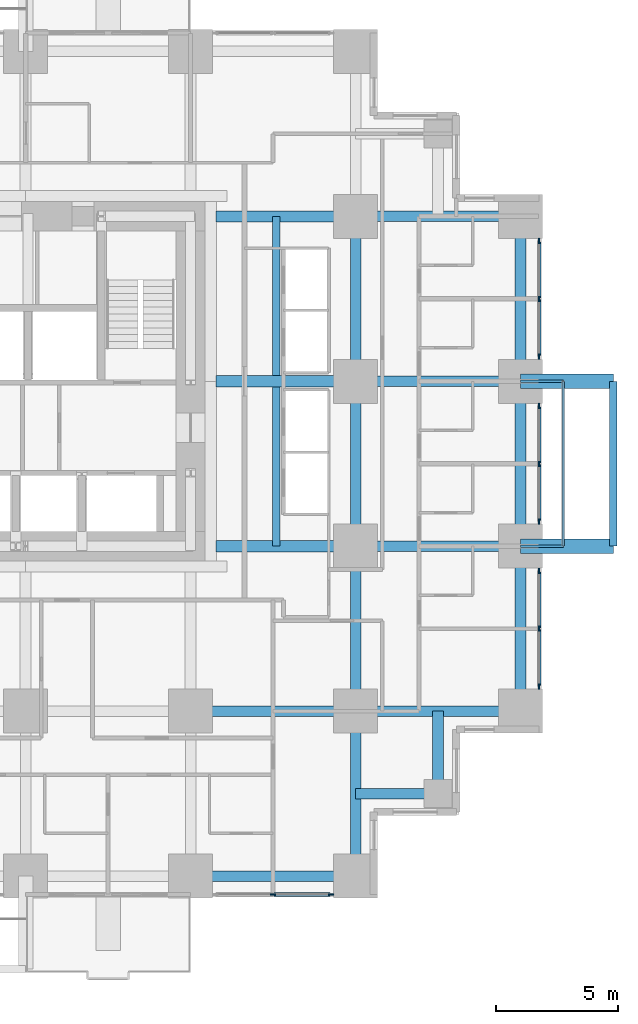
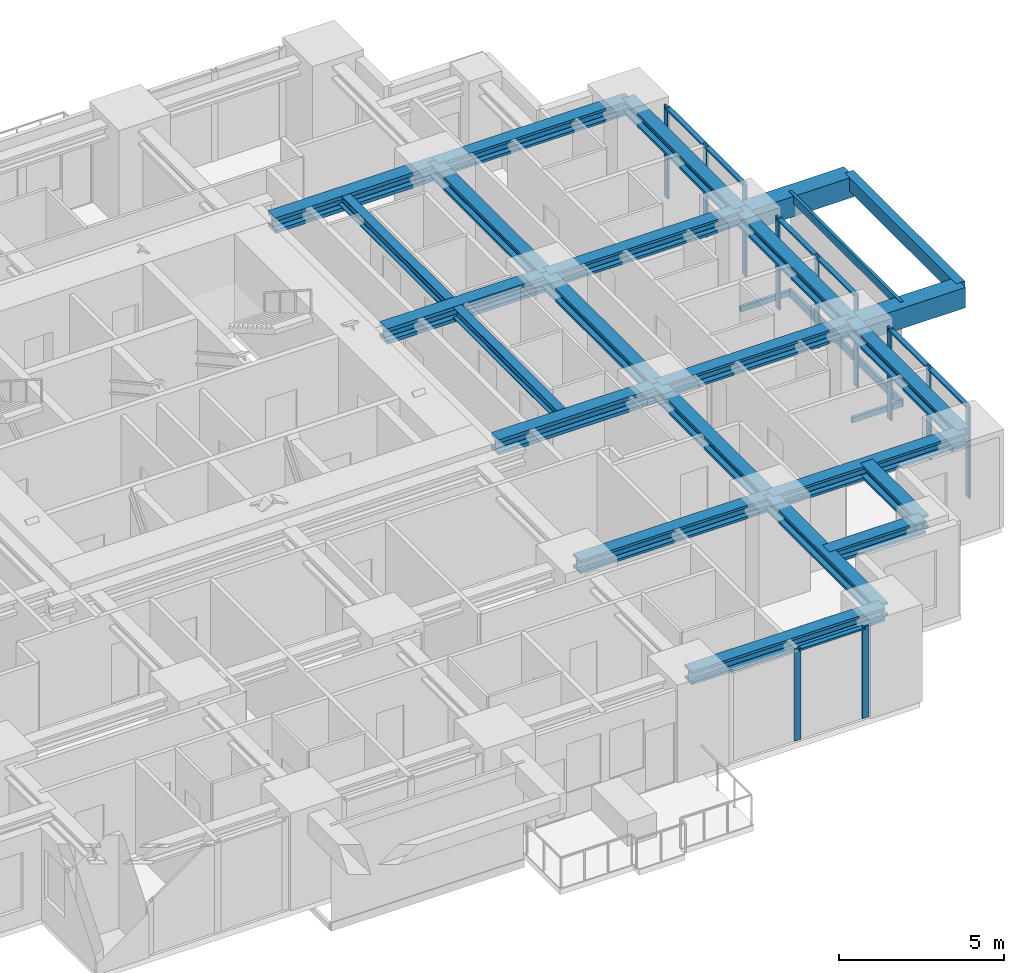
# One storey, part 4 of 12: 23 beams, 22 members, 4 elements without a shape of their own.
"""IFC4 building model written with IfcOpenShell, lengths in metres."""

from ifc_helpers import new_model, si_unit, direction, frame, origin, origin_2d, place, context, subcontext, project, spatial, rectangle, hollow_rectangle, i_section, extrude, material, material_profile, profile_set, type_object, element, aggregate, save


model = new_model("IFC4")

# Units and contexts
model_context = context("Model", 3, precision=1e-05, world=origin(), true_north=direction((0.0, 1.0)))
body_context = subcontext(model_context, "Body", "Model", "MODEL_VIEW")
ifc_project = project(units=[si_unit("LENGTHUNIT", "METRE"), si_unit("AREAUNIT", "SQUARE_METRE"), si_unit("VOLUMEUNIT", "CUBIC_METRE"), si_unit("PLANEANGLEUNIT", "RADIAN"), si_unit("MASSUNIT", "GRAM", prefix="KILO")], contexts=[model_context])

# Site, building, storey
site_placement = place(None, origin())
site = spatial("IfcSite", under=ifc_project, at=site_placement, CompositionType="ELEMENT")
building_placement = place(site_placement, origin())
building = spatial("IfcBuilding", under=site, at=building_placement, Name="Nyansa Garden Tower", CompositionType="ELEMENT")
storey_placement = place(building_placement, frame((0.0, 0.0, 98.10009765625)))
storey = spatial("IfcBuildingStorey", under=building, at=storey_placement, Name="L26", CompositionType="ELEMENT", Elevation=98.10009765625)

# Beams
ifc_material_1 = material(Name="Concrete C70/85", Category="concrete")
ifc_material_profile_1 = material_profile(ifc_material_1, rectangle(XDim=0.60009765625, YDim=0.75, at=origin_2d()), Name="RC 600x750")
ifc_profile_set_1 = profile_set([ifc_material_profile_1], Name="Concrete C70/85")
beam_type_1 = type_object("IfcBeamType", Name="Balcony cantilever beam CB1 RC 600x750", PredefinedType="BEAM", material=ifc_profile_set_1)
for number, where, z_axis, x_axis, name in (
    (1, (40.5, 13.5, 2.98486328125), (1.0, 0.0, 0.0), (0.0, 1.0, 0.0), "Balcony cantilever beam L27"),
    (2, (40.5, 20.25, 2.98486328125), (1.0, 0.0, 0.0), (0.0, 1.0, 0.0), "Balcony cantilever beam L27"),
):
    element("IfcBeam", number, at=place(storey_placement, frame(where, z_axis=z_axis, x_axis=x_axis)), inside=storey, type_object=beam_type_1, Name=name, PredefinedType="BEAM", context=body_context, shape_type="SweptSolid", body=[
        extrude(rectangle(XDim=0.60009765625, YDim=0.75, at=origin_2d()), origin(), (0.0, 0.0, 1.0), 3.800048828125),
    ])
ifc_material_2 = material(Name="Concrete C70/85", Category="concrete")
ifc_material_profile_2 = material_profile(ifc_material_2, rectangle(XDim=0.300048828125, YDim=0.5, at=origin_2d()), Name="RC 300x500")
ifc_profile_set_2 = profile_set([ifc_material_profile_2], Name="Concrete C70/85")
beam_type_2 = type_object("IfcBeamType", Name="Balcony edge beam BE1 RC 300x500", PredefinedType="BEAM", material=ifc_profile_set_2)
beam_placement = place(storey_placement, frame((44.300048828125, 13.5, 3.10986328125), z_axis=(0.0, 1.0, 0.0), x_axis=(-1.0, 0.0, 0.0)))
element("IfcBeam", 3, at=beam_placement, inside=storey, type_object=beam_type_2, Name="Balcony edge beam L27", PredefinedType="BEAM", context=body_context, shape_type="SweptSolid", body=[
    extrude(rectangle(XDim=0.300048828125, YDim=0.5, at=origin_2d()), origin(), (0.0, 0.0, 1.0), 6.75),
])

# Curtain wall, members
ifc_material_3 = material(Name="Black anodised aluminium, dark tinted double glazing", Category="aluminium")
curtain_wall_type = type_object("IfcCurtainWallType", Name="Inner skin curtain wall ISW-B", PredefinedType="USERDEFINED", material=ifc_material_3)
curtain_wall_1_placement = place(storey_placement, origin())
curtain_wall_1 = element("IfcCurtainWall", 4, at=curtain_wall_1_placement, inside=storey, type_object=curtain_wall_type, Name="Inner skin curtain wall L26 E", ObjectType="UNITISED CURTAIN WALL", PredefinedType="USERDEFINED")
ifc_material_4 = material(Name="Black anodised aluminium", Category="aluminium")
ifc_material_profile_3 = material_profile(ifc_material_4, rectangle(XDim=0.06494140625, YDim=0.22509765625, at=origin_2d()), Name="Mullion 225x65")
ifc_profile_set_3 = profile_set([ifc_material_profile_3], Name="Black anodised aluminium")
member_type_1 = type_object("IfcMemberType", Name="Mullion ISW-B 225x65", PredefinedType="MULLION", material=ifc_profile_set_3)
member_1_placement = place(storey_placement, frame((41.25, 7.762451171875, 0.0), z_axis=(0.0, 0.0, 1.0), x_axis=(-1.0, 0.0, 0.0)))
member_1 = element("IfcMember", 5, at=member_1_placement, type_object=member_type_1, Name="ISW-B mullion 1", PredefinedType="MULLION", context=body_context, shape_type="SweptSolid", body=[
    extrude(rectangle(XDim=0.06494140625, YDim=0.22509765625, at=origin_2d()), origin(), (0.0, 0.0, 1.0), 3.375),
])
member_2_placement = place(storey_placement, frame((41.25, 10.125, 0.0), z_axis=(0.0, 0.0, 1.0), x_axis=(-1.0, 0.0, 0.0)))
member_2 = element("IfcMember", 6, at=member_2_placement, type_object=member_type_1, Name="ISW-B mullion 2", PredefinedType="MULLION", context=body_context, shape_type="SweptSolid", body=[
    extrude(rectangle(XDim=0.06494140625, YDim=0.22509765625, at=origin_2d()), origin(), (0.0, 0.0, 1.0), 3.375),
])
member_3_placement = place(storey_placement, frame((41.25, 12.487548828125, 0.0), z_axis=(0.0, 0.0, 1.0), x_axis=(-1.0, 0.0, 0.0)))
member_3 = element("IfcMember", 7, at=member_3_placement, type_object=member_type_1, Name="ISW-B mullion 3", PredefinedType="MULLION", context=body_context, shape_type="SweptSolid", body=[
    extrude(rectangle(XDim=0.06494140625, YDim=0.22509765625, at=origin_2d()), origin(), (0.0, 0.0, 1.0), 3.375),
])

curtain_wall_2_placement = place(storey_placement, origin())
curtain_wall_2 = element("IfcCurtainWall", 8, at=curtain_wall_2_placement, inside=storey, type_object=curtain_wall_type, Name="Inner skin curtain wall L26 E", ObjectType="UNITISED CURTAIN WALL", PredefinedType="USERDEFINED")
member_4_placement = place(storey_placement, frame((41.25, 14.512451171875, 0.0), z_axis=(0.0, 0.0, 1.0), x_axis=(-1.0, 0.0, 0.0)))
member_4 = element("IfcMember", 9, at=member_4_placement, type_object=member_type_1, Name="ISW-B mullion 1", PredefinedType="MULLION", context=body_context, shape_type="SweptSolid", body=[
    extrude(rectangle(XDim=0.06494140625, YDim=0.22509765625, at=origin_2d()), origin(), (0.0, 0.0, 1.0), 3.375),
])
member_5_placement = place(storey_placement, frame((41.25, 16.875, 0.0), z_axis=(0.0, 0.0, 1.0), x_axis=(-1.0, 0.0, 0.0)))
member_5 = element("IfcMember", 10, at=member_5_placement, type_object=member_type_1, Name="ISW-B mullion 2", PredefinedType="MULLION", context=body_context, shape_type="SweptSolid", body=[
    extrude(rectangle(XDim=0.06494140625, YDim=0.22509765625, at=origin_2d()), origin(), (0.0, 0.0, 1.0), 3.375),
])
member_6_placement = place(storey_placement, frame((41.25, 19.237548828125, 0.0), z_axis=(0.0, 0.0, 1.0), x_axis=(-1.0, 0.0, 0.0)))
member_6 = element("IfcMember", 11, at=member_6_placement, type_object=member_type_1, Name="ISW-B mullion 3", PredefinedType="MULLION", context=body_context, shape_type="SweptSolid", body=[
    extrude(rectangle(XDim=0.06494140625, YDim=0.22509765625, at=origin_2d()), origin(), (0.0, 0.0, 1.0), 3.375),
])

curtain_wall_3_placement = place(storey_placement, origin())
curtain_wall_3 = element("IfcCurtainWall", 12, at=curtain_wall_3_placement, inside=storey, type_object=curtain_wall_type, Name="Inner skin curtain wall L26 E", ObjectType="UNITISED CURTAIN WALL", PredefinedType="USERDEFINED")
member_7_placement = place(storey_placement, frame((41.25, 21.262451171875, 0.0), z_axis=(0.0, 0.0, 1.0), x_axis=(-1.0, 0.0, 0.0)))
member_7 = element("IfcMember", 13, at=member_7_placement, type_object=member_type_1, Name="ISW-B mullion 1", PredefinedType="MULLION", context=body_context, shape_type="SweptSolid", body=[
    extrude(rectangle(XDim=0.06494140625, YDim=0.22509765625, at=origin_2d()), origin(), (0.0, 0.0, 1.0), 3.375),
])
member_8_placement = place(storey_placement, frame((41.25, 23.625, 0.0), z_axis=(0.0, 0.0, 1.0), x_axis=(-1.0, 0.0, 0.0)))
member_8 = element("IfcMember", 14, at=member_8_placement, type_object=member_type_1, Name="ISW-B mullion 2", PredefinedType="MULLION", context=body_context, shape_type="SweptSolid", body=[
    extrude(rectangle(XDim=0.06494140625, YDim=0.22509765625, at=origin_2d()), origin(), (0.0, 0.0, 1.0), 3.375),
])
member_9_placement = place(storey_placement, frame((41.25, 25.987548828125, 0.0), z_axis=(0.0, 0.0, 1.0), x_axis=(-1.0, 0.0, 0.0)))
member_9 = element("IfcMember", 15, at=member_9_placement, type_object=member_type_1, Name="ISW-B mullion 3", PredefinedType="MULLION", context=body_context, shape_type="SweptSolid", body=[
    extrude(rectangle(XDim=0.06494140625, YDim=0.22509765625, at=origin_2d()), origin(), (0.0, 0.0, 1.0), 3.375),
])

curtain_wall_4_placement = place(storey_placement, origin())
curtain_wall_4 = element("IfcCurtainWall", 16, at=curtain_wall_4_placement, inside=storey, type_object=curtain_wall_type, Name="Inner skin curtain wall L26 S", ObjectType="UNITISED CURTAIN WALL", PredefinedType="USERDEFINED")
member_10_placement = place(storey_placement, frame((30.375, -0.75, 0.0), z_axis=(0.0, 0.0, 1.0), x_axis=(0.0, 1.0, 0.0)))
member_10 = element("IfcMember", 17, at=member_10_placement, type_object=member_type_1, Name="ISW-B mullion 2", PredefinedType="MULLION", context=body_context, shape_type="SweptSolid", body=[
    extrude(rectangle(XDim=0.06494140625, YDim=0.22509765625, at=origin_2d()), origin(), (0.0, 0.0, 1.0), 3.375),
])
member_11_placement = place(storey_placement, frame((32.737548828125, -0.75, 0.0), z_axis=(0.0, 0.0, 1.0), x_axis=(0.0, 1.0, 0.0)))
member_11 = element("IfcMember", 18, at=member_11_placement, type_object=member_type_1, Name="ISW-B mullion 3", PredefinedType="MULLION", context=body_context, shape_type="SweptSolid", body=[
    extrude(rectangle(XDim=0.06494140625, YDim=0.22509765625, at=origin_2d()), origin(), (0.0, 0.0, 1.0), 3.375),
])

# Members
ifc_material_5 = material(Name="Steel S355, black powder coated", Category="steel")
ifc_material_profile_4 = material_profile(ifc_material_5, hollow_rectangle(XDim=0.10009765625, YDim=0.199951171875, WallThickness=0.008056640625, at=origin_2d()), Name="RHS 200x100x8")
ifc_profile_set_4 = profile_set([ifc_material_profile_4], Name="Steel S355, black powder coated")
member_type_2 = type_object("IfcMemberType", Name="Outer skin bracket arm RHS 200x100x8", PredefinedType="USERDEFINED", material=ifc_profile_set_4)
for number, where, z_axis, x_axis, name in (
    (19, (40.5, 13.5, -0.375), (1.0, 0.0, 0.0), (0.0, 1.0, 0.0), "Outer skin bracket arm"),
    (20, (40.5, 20.25, -0.375), (1.0, 0.0, 0.0), (0.0, 1.0, 0.0), "Outer skin bracket arm"),
):
    element("IfcMember", number, at=place(storey_placement, frame(where, z_axis=z_axis, x_axis=x_axis)), inside=storey, type_object=member_type_2, Name=name, ObjectType="OUTER SKIN BRACKET", PredefinedType="USERDEFINED", context=body_context, shape_type="SweptSolid", body=[
        extrude(hollow_rectangle(XDim=0.10009765625, YDim=0.199951171875, WallThickness=0.008056640625, at=origin_2d()), origin(), (0.0, 0.0, 1.0), 1.75),
    ])
ifc_material_6 = material(Name="Steel S355, black powder coated", Category="steel")
ifc_material_profile_5 = material_profile(ifc_material_6, hollow_rectangle(XDim=0.10009765625, YDim=0.300048828125, WallThickness=0.010009765625, at=origin_2d()), Name="RHS 300x100x10")
ifc_profile_set_5 = profile_set([ifc_material_profile_5], Name="Steel S355, black powder coated")
member_type_3 = type_object("IfcMemberType", Name="Outer skin rail RHS 300x100x10", PredefinedType="USERDEFINED", material=ifc_profile_set_5)
for number, where, z_axis, x_axis, name in (
    (21, (42.25, 13.5, -0.375), (0.0, 1.0, 0.0), (-1.0, 0.0, 0.0), "Outer skin rail L26"),
    (22, (42.25, 13.5, 3.224853515625), (0.0, 1.0, 0.0), (-1.0, 0.0, 0.0), "Outer skin rail L26 head"),
):
    element("IfcMember", number, at=place(storey_placement, frame(where, z_axis=z_axis, x_axis=x_axis)), inside=storey, type_object=member_type_3, Name=name, ObjectType="OUTER SKIN RAIL", PredefinedType="USERDEFINED", context=body_context, shape_type="SweptSolid", body=[
        extrude(hollow_rectangle(XDim=0.10009765625, YDim=0.300048828125, WallThickness=0.010009765625, at=origin_2d()), origin(), (0.0, 0.0, 1.0), 6.75),
    ])

# Beams
ifc_material_7 = material(Name="Steel S355", Category="steel")
ifc_material_profile_6 = material_profile(ifc_material_7, i_section(OverallWidth=0.431884765625, OverallDepth=0.498046875, WebThickness=0.0556640625, FlangeThickness=0.0888671875, FilletRadius=0.014892578125, at=origin_2d()), Name="HD 400x744")
ifc_profile_set_6 = profile_set([ifc_material_profile_6], Name="Steel S355")
beam_type_3 = type_object("IfcBeamType", Name="Steel beam SBB1-744 HD 400x744", PredefinedType="BEAM", material=ifc_profile_set_6)
for number, where, z_axis, x_axis, name in (
    (23, (27.0, 6.75, 3.1259765625), (1.0, 0.0, 0.0), (0.0, 1.0, 0.0), "Steel beam 6/E-7/E L27"),
    (24, (33.75, 0.0, 3.1259765625), (0.0, 1.0, 0.0), (-1.0, 0.0, 0.0), "Steel beam 7/D-7/E L27"),
    (25, (33.75, 6.75, 3.1259765625), (0.0, 1.0, 0.0), (-1.0, 0.0, 0.0), "Steel beam 7/E-7/F L27"),
    (26, (33.75, 6.75, 3.1259765625), (1.0, 0.0, 0.0), (0.0, 1.0, 0.0), "Steel beam 7/E-8/E L27"),
    (27, (33.75, 13.5, 3.1259765625), (0.0, 1.0, 0.0), (-1.0, 0.0, 0.0), "Steel beam 7/F-7/G L27"),
    (28, (33.75, 13.5, 3.1259765625), (1.0, 0.0, 0.0), (0.0, 1.0, 0.0), "Steel beam 7/F-8/F L27"),
    (29, (33.75, 20.25, 3.1259765625), (0.0, 1.0, 0.0), (-1.0, 0.0, 0.0), "Steel beam 7/G-7/H L27"),
    (30, (33.75, 20.25, 3.1259765625), (1.0, 0.0, 0.0), (0.0, 1.0, 0.0), "Steel beam 7/G-8/G L27"),
    (31, (33.75, 27.0, 3.1259765625), (1.0, 0.0, 0.0), (0.0, 1.0, 0.0), "Steel beam 7/H-8/H L27"),
):
    element("IfcBeam", number, at=place(storey_placement, frame(where, z_axis=z_axis, x_axis=x_axis)), inside=storey, type_object=beam_type_3, Name=name, PredefinedType="BEAM", context=body_context, shape_type="SweptSolid", body=[
        extrude(i_section(OverallWidth=0.431884765625, OverallDepth=0.498046875, WebThickness=0.0556640625, FlangeThickness=0.0888671875, FilletRadius=0.014892578125, at=origin_2d()), origin(), (0.0, 0.0, 1.0), 6.75),
    ])
ifc_material_8 = material(Name="Steel S355", Category="steel")
ifc_material_profile_7 = material_profile(ifc_material_8, i_section(OverallWidth=0.4541015625, OverallDepth=0.569091796875, WebThickness=0.077880859375, FlangeThickness=0.125, FilletRadius=0.014892578125, at=origin_2d()), Name="HD 400x1086")
ifc_profile_set_7 = profile_set([ifc_material_profile_7], Name="Steel S355")
beam_type_4 = type_object("IfcBeamType", Name="Steel beam SCL-1086 HD 400x1086", PredefinedType="BEAM", material=ifc_profile_set_7)
for number, where, z_axis, x_axis, name in (
    (32, (28.050048828125, 13.5, 3.09033203125), (1.0, 0.0, 0.0), (0.0, 1.0, 0.0), "Steel beam 28.050/F-7/F L27"),
    (33, (28.050048828125, 20.25, 3.09033203125), (1.0, 0.0, 0.0), (0.0, 1.0, 0.0), "Steel beam 28.050/G-7/G L27"),
    (34, (28.050048828125, 27.0, 3.09033203125), (1.0, 0.0, 0.0), (0.0, 1.0, 0.0), "Steel beam 28.050/H-7/H L27"),
):
    element("IfcBeam", number, at=place(storey_placement, frame(where, z_axis=z_axis, x_axis=x_axis)), inside=storey, type_object=beam_type_4, Name=name, PredefinedType="BEAM", context=body_context, shape_type="SweptSolid", body=[
        extrude(i_section(OverallWidth=0.4541015625, OverallDepth=0.569091796875, WebThickness=0.077880859375, FlangeThickness=0.125, FilletRadius=0.014892578125, at=origin_2d()), origin(), (0.0, 0.0, 1.0), 5.699951171875),
    ])
ifc_material_9 = material(Name="Steel S355", Category="steel")
ifc_material_profile_8 = material_profile(ifc_material_9, i_section(OverallWidth=0.431884765625, OverallDepth=0.498046875, WebThickness=0.0556640625, FlangeThickness=0.0888671875, FilletRadius=0.014892578125, at=origin_2d()), Name="HD 400x744")
ifc_profile_set_8 = profile_set([ifc_material_profile_8], Name="Steel S355")
beam_type_5 = type_object("IfcBeamType", Name="Steel beam SEBB-744 HD 400x744", PredefinedType="BEAM", material=ifc_profile_set_8)
for number, where, z_axis, x_axis, name in (
    (35, (27.0, 0.0, 3.1259765625), (1.0, 0.0, 0.0), (0.0, 1.0, 0.0), "Steel edge beam 6/D-7/D L27"),
    (36, (40.5, 6.75, 3.1259765625), (0.0, 1.0, 0.0), (-1.0, 0.0, 0.0), "Steel edge beam 8/E-8/F L27"),
    (37, (40.5, 13.5, 3.1259765625), (0.0, 1.0, 0.0), (-1.0, 0.0, 0.0), "Steel edge beam 8/F-8/G L27"),
    (38, (40.5, 20.25, 3.1259765625), (0.0, 1.0, 0.0), (-1.0, 0.0, 0.0), "Steel edge beam 8/G-8/H L27"),
):
    element("IfcBeam", number, at=place(storey_placement, frame(where, z_axis=z_axis, x_axis=x_axis)), inside=storey, type_object=beam_type_5, Name=name, PredefinedType="BEAM", context=body_context, shape_type="SweptSolid", body=[
        extrude(i_section(OverallWidth=0.431884765625, OverallDepth=0.498046875, WebThickness=0.0556640625, FlangeThickness=0.0888671875, FilletRadius=0.014892578125, at=origin_2d()), origin(), (0.0, 0.0, 1.0), 6.75),
    ])
ifc_material_10 = material(Name="Steel S355", Category="steel")
ifc_material_profile_9 = material_profile(ifc_material_10, i_section(OverallWidth=0.431884765625, OverallDepth=0.498046875, WebThickness=0.0556640625, FlangeThickness=0.0888671875, FilletRadius=0.014892578125, at=origin_2d()), Name="HD 400x744")
ifc_profile_set_9 = profile_set([ifc_material_profile_9], Name="Steel S355")
beam_type_6 = type_object("IfcBeamType", Name="Steel beam SSB1-744 HD 400x744", PredefinedType="BEAM", material=ifc_profile_set_9)
for number, where, z_axis, x_axis, name in (
    (39, (37.125, 3.375, 3.1259765625), (0.0, 1.0, 0.0), (-1.0, 0.0, 0.0), "Steel step beam 37.125/3.375 L27"),
    (40, (37.125, 3.375, 3.1259765625), (-1.0, 0.0, 0.0), (0.0, -1.0, 0.0), "Steel step beam 37.125/3.375 L27"),
):
    element("IfcBeam", number, at=place(storey_placement, frame(where, z_axis=z_axis, x_axis=x_axis)), inside=storey, type_object=beam_type_6, Name=name, PredefinedType="BEAM", context=body_context, shape_type="SweptSolid", body=[
        extrude(i_section(OverallWidth=0.431884765625, OverallDepth=0.498046875, WebThickness=0.0556640625, FlangeThickness=0.0888671875, FilletRadius=0.014892578125, at=origin_2d()), origin(), (0.0, 0.0, 1.0), 3.375),
    ])

# Member
ifc_material_11 = material(Name="Black anodised aluminium", Category="aluminium")
ifc_material_profile_10 = material_profile(ifc_material_11, rectangle(XDim=0.1650390625, YDim=0.06494140625, at=origin_2d()), Name="Transom 165x65")
ifc_profile_set_10 = profile_set([ifc_material_profile_10], Name="Black anodised aluminium")
member_type_4 = type_object("IfcMemberType", Name="Transom ISW-B 165x65", PredefinedType="USERDEFINED", material=ifc_profile_set_10)
member_12_placement = place(storey_placement, frame((41.25, 7.794921875, 3.34228515625), z_axis=(0.0, 1.0, 0.0), x_axis=(-1.0, 0.0, 0.0)))
member_12 = element("IfcMember", 41, at=member_12_placement, type_object=member_type_4, Name="ISW-B transom 1", ObjectType="TRANSOM", PredefinedType="USERDEFINED", context=body_context, shape_type="SweptSolid", body=[
    extrude(rectangle(XDim=0.1650390625, YDim=0.06494140625, at=origin_2d()), origin(), (0.0, 0.0, 1.0), 2.297607421875),
])

member_13_placement = place(storey_placement, frame((41.25, 10.157470703125, 3.34228515625), z_axis=(0.0, 1.0, 0.0), x_axis=(-1.0, 0.0, 0.0)))
member_13 = element("IfcMember", 42, at=member_13_placement, type_object=member_type_4, Name="ISW-B transom 2", ObjectType="TRANSOM", PredefinedType="USERDEFINED", context=body_context, shape_type="SweptSolid", body=[
    extrude(rectangle(XDim=0.1650390625, YDim=0.06494140625, at=origin_2d()), origin(), (0.0, 0.0, 1.0), 2.297607421875),
])

aggregate(curtain_wall_1, [member_1, member_2, member_3, member_12, member_13])

member_14_placement = place(storey_placement, frame((41.25, 14.544921875, 3.34228515625), z_axis=(0.0, 1.0, 0.0), x_axis=(-1.0, 0.0, 0.0)))
member_14 = element("IfcMember", 43, at=member_14_placement, type_object=member_type_4, Name="ISW-B transom 1", ObjectType="TRANSOM", PredefinedType="USERDEFINED", context=body_context, shape_type="SweptSolid", body=[
    extrude(rectangle(XDim=0.1650390625, YDim=0.06494140625, at=origin_2d()), origin(), (0.0, 0.0, 1.0), 2.297607421875),
])

member_15_placement = place(storey_placement, frame((41.25, 16.907470703125, 3.34228515625), z_axis=(0.0, 1.0, 0.0), x_axis=(-1.0, 0.0, 0.0)))
member_15 = element("IfcMember", 44, at=member_15_placement, type_object=member_type_4, Name="ISW-B transom 2", ObjectType="TRANSOM", PredefinedType="USERDEFINED", context=body_context, shape_type="SweptSolid", body=[
    extrude(rectangle(XDim=0.1650390625, YDim=0.06494140625, at=origin_2d()), origin(), (0.0, 0.0, 1.0), 2.297607421875),
])

aggregate(curtain_wall_2, [member_4, member_5, member_6, member_14, member_15])

member_16_placement = place(storey_placement, frame((41.25, 21.294921875, 3.34228515625), z_axis=(0.0, 1.0, 0.0), x_axis=(-1.0, 0.0, 0.0)))
member_16 = element("IfcMember", 45, at=member_16_placement, type_object=member_type_4, Name="ISW-B transom 1", ObjectType="TRANSOM", PredefinedType="USERDEFINED", context=body_context, shape_type="SweptSolid", body=[
    extrude(rectangle(XDim=0.1650390625, YDim=0.06494140625, at=origin_2d()), origin(), (0.0, 0.0, 1.0), 2.297607421875),
])

member_17_placement = place(storey_placement, frame((41.25, 23.657470703125, 3.34228515625), z_axis=(0.0, 1.0, 0.0), x_axis=(-1.0, 0.0, 0.0)))
member_17 = element("IfcMember", 46, at=member_17_placement, type_object=member_type_4, Name="ISW-B transom 2", ObjectType="TRANSOM", PredefinedType="USERDEFINED", context=body_context, shape_type="SweptSolid", body=[
    extrude(rectangle(XDim=0.1650390625, YDim=0.06494140625, at=origin_2d()), origin(), (0.0, 0.0, 1.0), 2.297607421875),
])

aggregate(curtain_wall_3, [member_7, member_8, member_9, member_16, member_17])

member_18_placement = place(storey_placement, frame((30.407470703125, -0.75, 3.34228515625), z_axis=(1.0, 0.0, 0.0), x_axis=(0.0, 1.0, 0.0)))
member_18 = element("IfcMember", 47, at=member_18_placement, type_object=member_type_4, Name="ISW-B transom 2", ObjectType="TRANSOM", PredefinedType="USERDEFINED", context=body_context, shape_type="SweptSolid", body=[
    extrude(rectangle(XDim=0.1650390625, YDim=0.06494140625, at=origin_2d()), origin(), (0.0, 0.0, 1.0), 2.297607421875),
])

aggregate(curtain_wall_4, [member_10, member_11, member_18])

# Beams
ifc_material_12 = material(Name="Steel S355", Category="steel")
ifc_material_profile_11 = material_profile(ifc_material_12, i_section(OverallWidth=0.300048828125, OverallDepth=0.39990234375, WebThickness=0.013427734375, FlangeThickness=0.02392578125, FilletRadius=0.027099609375, at=origin_2d()), Name="HE 400 B")
ifc_profile_set_11 = profile_set([ifc_material_profile_11], Name="Steel S355")
beam_type_7 = type_object("IfcBeamType", Name="Trimmer beam TR1 HE 400 B", PredefinedType="BEAM", material=ifc_profile_set_11)
for number, where, z_axis, x_axis, name in (
    (48, (30.5, 13.5, 3.1748046875), (0.0, 1.0, 0.0), (-1.0, 0.0, 0.0), "Trimmer beam 1 L27"),
    (49, (30.5, 20.47705078125, 3.1748046875), (0.0, 1.0, 0.0), (-1.0, 0.0, 0.0), "Trimmer beam 2 L27"),
):
    element("IfcBeam", number, at=place(storey_placement, frame(where, z_axis=z_axis, x_axis=x_axis)), inside=storey, type_object=beam_type_7, Name=name, PredefinedType="BEAM", context=body_context, shape_type="SweptSolid", body=[
        extrude(i_section(OverallWidth=0.300048828125, OverallDepth=0.39990234375, WebThickness=0.013427734375, FlangeThickness=0.02392578125, FilletRadius=0.027099609375, at=origin_2d()), origin(), (0.0, 0.0, 1.0), 6.52294921875),
    ])

save(model, "model.ifc")
